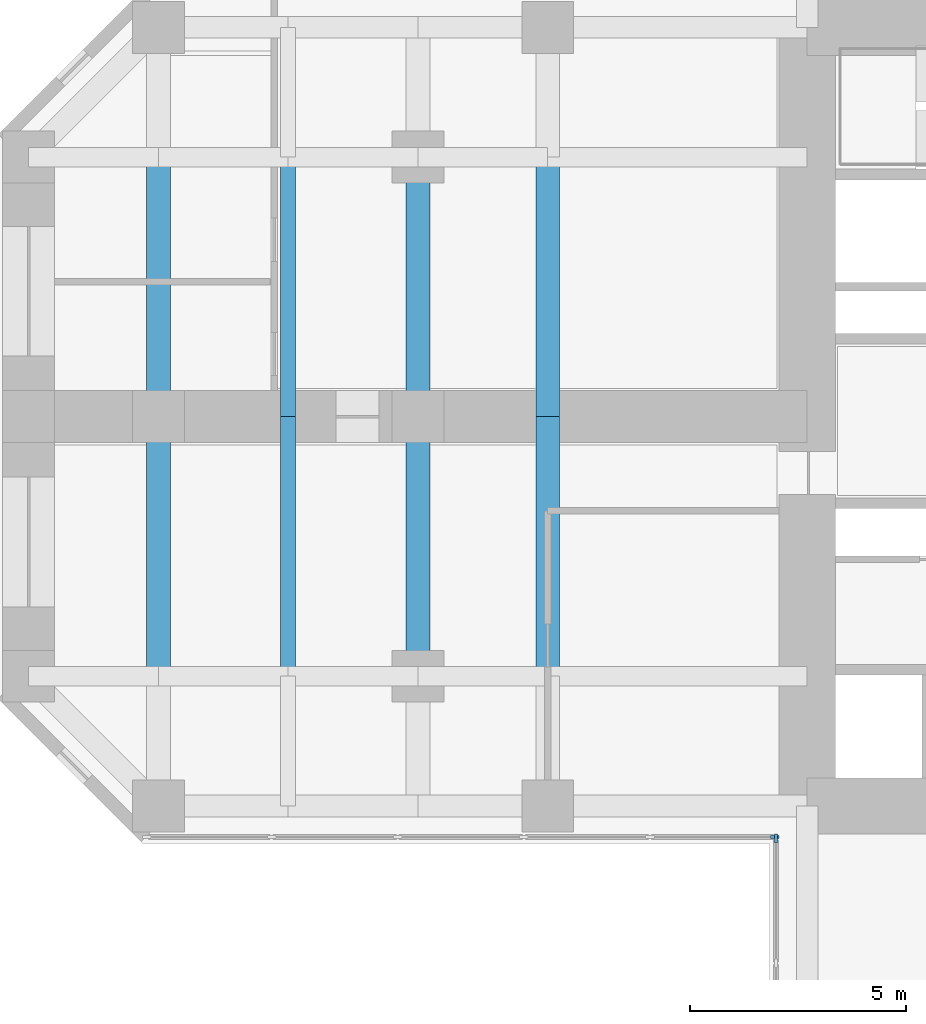
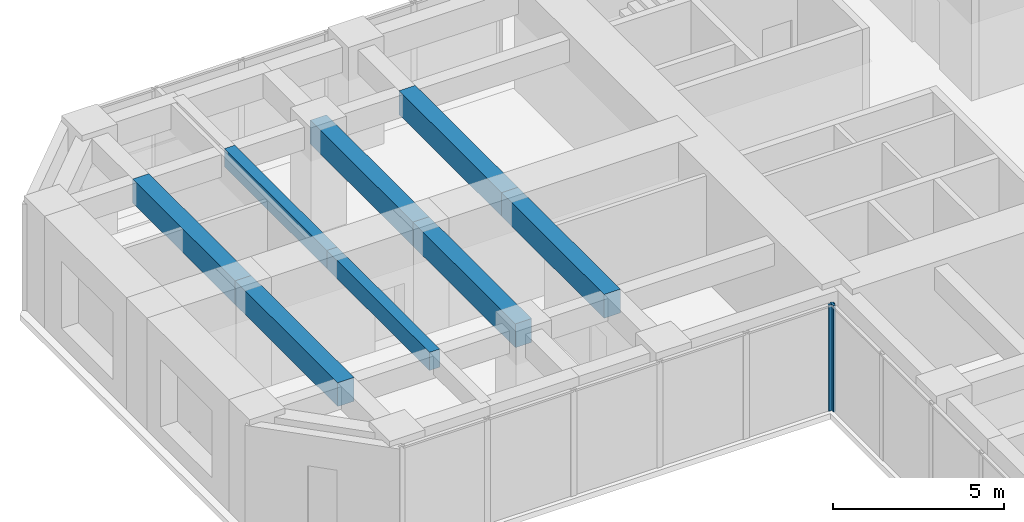
# One storey, part 3 of 12: 8 beams, 2 members, 2 elements without a shape of their own.
"""IFC4 building model written with IfcOpenShell, lengths in metres."""

from ifc_helpers import new_model, si_unit, direction, frame, origin, origin_2d, place, context, subcontext, project, spatial, rectangle, extrude, material, material_profile, profile_set, type_object, element, aggregate, save


model = new_model("IFC4")

# Units and contexts
model_context = context("Model", 3, precision=1e-05, world=origin(), true_north=direction((0.0, 1.0)))
body_context = subcontext(model_context, "Body", "Model", "MODEL_VIEW")
ifc_project = project(units=[si_unit("LENGTHUNIT", "METRE"), si_unit("AREAUNIT", "SQUARE_METRE"), si_unit("VOLUMEUNIT", "CUBIC_METRE"), si_unit("PLANEANGLEUNIT", "RADIAN"), si_unit("MASSUNIT", "GRAM", prefix="KILO")], contexts=[model_context])

# Site, building, storey
site_placement = place(None, origin())
site = spatial("IfcSite", under=ifc_project, at=site_placement, CompositionType="ELEMENT")
building_placement = place(site_placement, origin())
building = spatial("IfcBuilding", under=site, at=building_placement, Name="Torre Cruceta", CompositionType="ELEMENT")
storey_placement = place(building_placement, frame((0.0, 0.0, 71.5)))
storey = spatial("IfcBuildingStorey", under=building, at=storey_placement, Name="L17", CompositionType="ELEMENT", Elevation=71.5)

# Beams
ifc_material_1 = material(Name="Concrete G60 (fck 60 MPa)", Category="concrete")
ifc_material_profile_1 = material_profile(ifc_material_1, rectangle(XDim=0.550048828125, YDim=0.85009765625, at=origin_2d()), Name="RC 550X850")
ifc_profile_set_1 = profile_set([ifc_material_profile_1], Name="Concrete G60 (fck 60 MPa)")
beam_type_1 = type_object("IfcBeamType", Name="CROSS BEAM RC 550X850", PredefinedType="BEAM", material=ifc_profile_set_1)
for number, where, z_axis, x_axis, name in (
    (1, (-15.0, 6.0, 3.375), (0.0, -1.0, 0.0), (1.0, 0.0, 0.0), "GB4 L17 W cross15 2"),
    (2, (-15.0, 0.0, 3.375), (0.0, -1.0, 0.0), (1.0, 0.0, 0.0), "GB4 L17 W cross15 3"),
    (3, (-18.0, 6.0, 3.375), (0.0, -1.0, 0.0), (1.0, 0.0, 0.0), "GB4 L17 W cross18 2"),
    (4, (-18.0, 0.0, 3.375), (0.0, -1.0, 0.0), (1.0, 0.0, 0.0), "GB4 L17 W cross18 3"),
    (5, (-24.0, 6.0, 3.375), (0.0, -1.0, 0.0), (1.0, 0.0, 0.0), "GB4 L17 W cross24 2"),
    (6, (-24.0, 0.0, 3.375), (0.0, -1.0, 0.0), (1.0, 0.0, 0.0), "GB4 L17 W cross24 3"),
):
    element("IfcBeam", number, at=place(storey_placement, frame(where, z_axis=z_axis, x_axis=x_axis)), inside=storey, type_object=beam_type_1, Name=name, PredefinedType="BEAM", context=body_context, shape_type="SweptSolid", body=[
        extrude(rectangle(XDim=0.550048828125, YDim=0.85009765625, at=origin_2d()), origin(), (0.0, 0.0, 1.0), 6.0),
    ])

# Curtain wall, member
ifc_material_2 = material(Name="Aluminium unitised curtain wall", Category="aluminium")
curtain_wall_type = type_object("IfcCurtainWallType", Name="CURTAIN WALL CW-A OFFICE LOW RISE", PredefinedType="USERDEFINED", material=ifc_material_2)
curtain_wall_1_placement = place(storey_placement, origin())
curtain_wall_1 = element("IfcCurtainWall", 7, at=curtain_wall_1_placement, inside=storey, type_object=curtain_wall_type, Name="CW-A L17 W side 14", ObjectType="UNITISED", PredefinedType="USERDEFINED")
ifc_material_3 = material(Name="Aluminium mullion", Category="aluminium")
ifc_material_profile_2 = material_profile(ifc_material_3, rectangle(XDim=0.06494140625, YDim=0.199951171875, at=origin_2d()), Name="AL 65X200")
ifc_profile_set_2 = profile_set([ifc_material_profile_2], Name="Aluminium mullion")
member_type = type_object("IfcMemberType", Name="CW-A MULLION 65X200", PredefinedType="MULLION", material=ifc_profile_set_2)
member_1_placement = place(storey_placement, frame((-9.75244140625, -9.719970703125, 0.0), z_axis=(0.0, 0.0, 1.0), x_axis=(0.0, 1.0, 0.0)))
member_1 = element("IfcMember", 8, at=member_1_placement, type_object=member_type, Name="CW-A mullion 6", PredefinedType="MULLION", context=body_context, shape_type="SweptSolid", body=[
    extrude(rectangle(XDim=0.06494140625, YDim=0.199951171875, at=origin_2d()), origin(), (0.0, 0.0, 1.0), 3.800048828125),
])
aggregate(curtain_wall_1, [member_1])

curtain_wall_2_placement = place(storey_placement, origin())
curtain_wall_2 = element("IfcCurtainWall", 9, at=curtain_wall_2_placement, inside=storey, type_object=curtain_wall_type, Name="CW-A L17 S side 15", ObjectType="UNITISED", PredefinedType="USERDEFINED")
member_2_placement = place(storey_placement, frame((-9.719970703125, -9.75244140625, 0.0), z_axis=(0.0, 0.0, 1.0), x_axis=(1.0, 0.0, 0.0)))
member_2 = element("IfcMember", 10, at=member_2_placement, type_object=member_type, Name="CW-A mullion 1", PredefinedType="MULLION", context=body_context, shape_type="SweptSolid", body=[
    extrude(rectangle(XDim=0.06494140625, YDim=0.199951171875, at=origin_2d()), origin(), (0.0, 0.0, 1.0), 3.800048828125),
])
aggregate(curtain_wall_2, [member_2])

# Beams
ifc_material_4 = material(Name="Concrete G60 (fck 60 MPa)", Category="concrete")
ifc_material_profile_3 = material_profile(ifc_material_4, rectangle(XDim=0.35009765625, YDim=0.64990234375, at=origin_2d()), Name="RC 350X650")
ifc_profile_set_3 = profile_set([ifc_material_profile_3], Name="Concrete G60 (fck 60 MPa)")
beam_type_2 = type_object("IfcBeamType", Name="SECONDARY BEAM RC 350X650", PredefinedType="JOIST", material=ifc_profile_set_3)
for number, where, z_axis, x_axis, name in (
    (11, (-21.0, 6.0, 3.47509765625), (0.0, -1.0, 0.0), (1.0, 0.0, 0.0), "JB3 L17 W sec21 2"),
    (12, (-21.0, 0.0, 3.47509765625), (0.0, -1.0, 0.0), (1.0, 0.0, 0.0), "JB3 L17 W sec21 3"),
):
    element("IfcBeam", number, at=place(storey_placement, frame(where, z_axis=z_axis, x_axis=x_axis)), inside=storey, type_object=beam_type_2, Name=name, PredefinedType="JOIST", context=body_context, shape_type="SweptSolid", body=[
        extrude(rectangle(XDim=0.35009765625, YDim=0.64990234375, at=origin_2d()), origin(), (0.0, 0.0, 1.0), 6.0),
    ])

save(model, "model.ifc")
